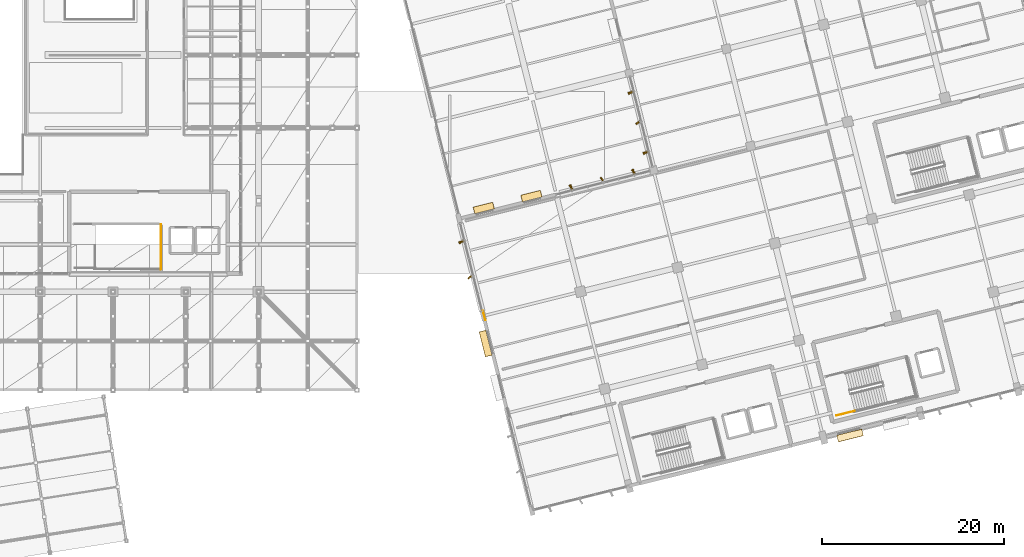
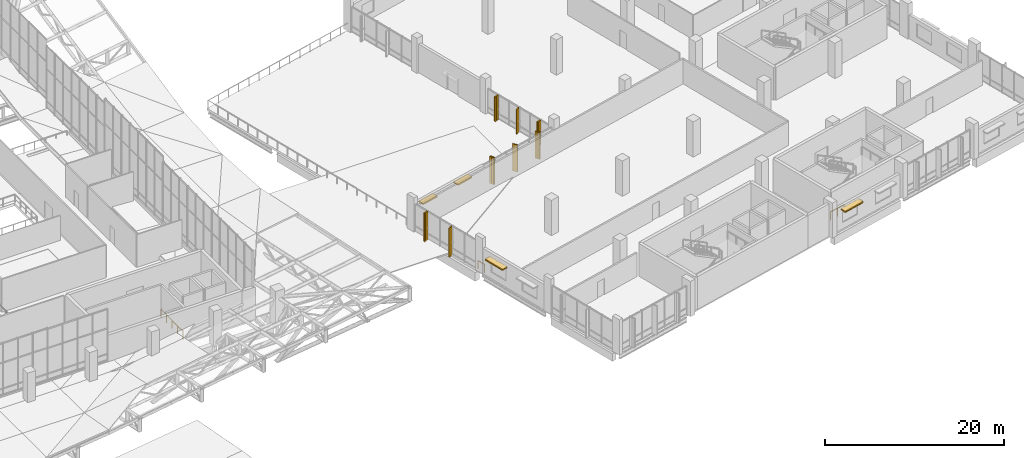
# One storey, part 133 of 137: 12 shading devices, 9 coverings, 3 railings.
"""IFC4 building model written with IfcOpenShell, lengths in metres."""

from ifc_helpers import new_model, si_unit, direction, frame, origin, origin_2d, place, context, subcontext, project, spatial, rectangle, extrude, material, layer, layer_set, type_object, element, save


model = new_model("IFC4")

# Units and contexts
model_context = context("Model", 3, precision=1e-05, world=origin(), true_north=direction((0.0, 1.0)))
body_context = subcontext(model_context, "Body", "Model", "MODEL_VIEW")
ifc_project = project(units=[si_unit("LENGTHUNIT", "METRE"), si_unit("AREAUNIT", "SQUARE_METRE"), si_unit("VOLUMEUNIT", "CUBIC_METRE"), si_unit("PLANEANGLEUNIT", "RADIAN"), si_unit("MASSUNIT", "GRAM", prefix="KILO")], contexts=[model_context])

# Site, building, storey
site_placement = place(None, origin())
site = spatial("IfcSite", under=ifc_project, at=site_placement, CompositionType="ELEMENT")
building_placement = place(site_placement, origin())
building = spatial("IfcBuilding", under=site, at=building_placement, Name="Khorjan Park Terminus", CompositionType="ELEMENT")
storey_placement = place(building_placement, frame((0.0, 0.0, 11.4)))
storey = spatial("IfcBuildingStorey", under=building, at=storey_placement, Name="L02", CompositionType="ELEMENT", Elevation=11.4)

# Coverings
ifc_material_1 = material(Name="Pigmented Precast GRC", Category="concrete")
ifc_layer_1 = layer(ifc_material_1, 0.16)
ifc_layer_set_1 = layer_set([ifc_layer_1], Name="Pigmented Precast GRC")
covering_type_1 = type_object("IfcCoveringType", Name="CV-FIN-GRC", PredefinedType="CLADDING", material=ifc_layer_set_1)
for number, where, z_axis, x_axis, name in (
    (1, (176.8663, 47.8883, -0.02), (0.0, 0.0, 1.0), (0.970295726276, 0.2419218956, 0.0), "Projecting desert-sandstone GRC facade fin CL-FN1 (CW-V5-NW1-L02-B03-1)"),
    (2, (178.5097, 41.2969, -0.02), (0.0, 0.0, 1.0), (0.970295726276, 0.2419218956, 0.0), "Projecting desert-sandstone GRC facade fin CL-FN1 (CW-V5-NW1-L02-B03-5)"),
):
    element("IfcCovering", number, at=place(storey_placement, frame(where, z_axis=z_axis, x_axis=x_axis)), inside=storey, type_object=covering_type_1, Name=name, PredefinedType="CLADDING", context=body_context, shape_type="SweptSolid", body=[
        extrude(rectangle(XDim=0.58, YDim=0.16, at=origin_2d()), origin(), (0.0, 0.0, 1.0), 3.345),
    ])
for number, where, z_axis, x_axis, name in (
    (3, (177.1707, 39.1613, -0.02), (0.0, 0.0, 1.0), (0.2419218956, -0.970295726276, 0.0), "Projecting desert-sandstone GRC facade fin CL-FN1 (CW-V5-NW2-L02-B01-1)"),
    (4, (170.3173, 37.4526, -0.02), (0.0, 0.0, 1.0), (0.2419218956, -0.970295726276, 0.0), "Projecting desert-sandstone GRC facade fin CL-FN1 (CW-V5-NW2-L02-B01-5)"),
):
    element("IfcCovering", number, at=place(storey_placement, frame(where, z_axis=z_axis, x_axis=x_axis)), inside=storey, type_object=covering_type_1, Name=name, PredefinedType="CLADDING", context=body_context, shape_type="SweptSolid", body=[
        extrude(rectangle(XDim=0.58, YDim=0.16, at=origin_2d()), origin(), (0.0, 0.0, 1.0), 3.655),
    ])
covering_1_placement = place(storey_placement, frame((158.2813, 31.4906, -0.02), z_axis=(0.0, 0.0, 1.0), x_axis=(0.970295726276, 0.2419218956, 0.0)))
element("IfcCovering", 5, at=covering_1_placement, inside=storey, type_object=covering_type_1, Name="Projecting desert-sandstone GRC facade fin CL-FN1 (CW-V5-W-L02-B01-1)", PredefinedType="CLADDING", context=body_context, shape_type="SweptSolid", body=[
    extrude(rectangle(XDim=0.58, YDim=0.16, at=origin_2d()), origin(), (0.0, 0.0, 1.0), 3.945),
])
ifc_layer_2 = layer(ifc_material_1, 0.18)
ifc_layer_set_2 = layer_set([ifc_layer_2], Name="Pigmented Precast GRC")
covering_type_2 = type_object("IfcCoveringType", Name="CV-HOOD-GRC", PredefinedType="CLADDING", material=ifc_layer_set_2)
covering_2_placement = place(storey_placement, frame((200.9595, 10.2114, 2.73), z_axis=(0.0, 0.0, 1.0), x_axis=(0.970293766672, 0.241929755007, 0.0)))
element("IfcCovering", 6, at=covering_2_placement, inside=storey, type_object=covering_type_2, Name="Projecting desert-sandstone GRC window eyebrow CL-HD1 (EW-V5-S-L02-B04-1)", PredefinedType="CLADDING", context=body_context, shape_type="SweptSolid", body=[
    extrude(rectangle(XDim=2.84, YDim=0.74, at=origin_2d()), origin(), (0.0, 0.0, 1.0), 0.16),
])
for number, where, z_axis, x_axis, name in (
    (7, (165.9552, 36.5041, 2.58), (0.0, 0.0, 1.0), (-0.970296119965, -0.241920316593, 0.0), "Projecting desert-sandstone GRC window eyebrow CL-HD1 (EW-V5-NW2-L02-B02-1)"),
    (8, (160.7231, 35.1996, 2.58), (0.0, 0.0, 1.0), (-0.970296119965, -0.241920316593, 0.0), "Projecting desert-sandstone GRC window eyebrow CL-HD1 (EW-V5-NW2-L02-B02-2)"),
):
    element("IfcCovering", number, at=place(storey_placement, frame(where, z_axis=z_axis, x_axis=x_axis)), inside=storey, type_object=covering_type_2, Name=name, PredefinedType="CLADDING", context=body_context, shape_type="SweptSolid", body=[
        extrude(rectangle(XDim=2.24, YDim=0.74, at=origin_2d()), origin(), (0.0, 0.0, 1.0), 0.16),
    ])
covering_3_placement = place(storey_placement, frame((160.9299, 20.3094, 2.73), z_axis=(0.0, 0.0, 1.0), x_axis=(0.241931398531, -0.97029335688, 0.0)))
element("IfcCovering", 9, at=covering_3_placement, inside=storey, type_object=covering_type_2, Name="Projecting desert-sandstone GRC window eyebrow CL-HD1 (EW-V5-W-L02-B02-1)", PredefinedType="CLADDING", context=body_context, shape_type="SweptSolid", body=[
    extrude(rectangle(XDim=2.84, YDim=0.74, at=origin_2d()), origin(), (0.0, 0.0, 1.0), 0.16),
])

# Railings
ifc_material_2 = material(Name="Steel S355", Category="steel")
railing_type = type_object("IfcRailingType", Name="GR-112", PredefinedType="GUARDRAIL", material=ifc_material_2)
railing_1_placement = place(storey_placement, frame((125.25, 28.45, 0.0)))
element("IfcRailing", 10, at=railing_1_placement, inside=storey, type_object=railing_type, Name="L02 ST-02 top well guard 3", PredefinedType="GUARDRAIL", context=body_context, shape_type="SweptSolid", body=[
    extrude(rectangle(XDim=0.048, YDim=0.048, at=origin_2d()), frame((0.0, 0.0, 1.096), z_axis=(0.0, 1.0, 0.0), x_axis=(-1.0, 0.0, 0.0)), (0.0, 0.0, 1.0), 4.96),
    extrude(rectangle(XDim=0.042, YDim=0.042, at=origin_2d()), origin(), (0.0, 0.0, 1.0), 1.072),
    extrude(rectangle(XDim=0.042, YDim=0.042, at=origin_2d()), frame((0.0, 1.24, 0.0)), (0.0, 0.0, 1.0), 1.072),
    extrude(rectangle(XDim=0.042, YDim=0.042, at=origin_2d()), frame((0.0, 2.48, 0.0)), (0.0, 0.0, 1.0), 1.072),
    extrude(rectangle(XDim=0.042, YDim=0.042, at=origin_2d()), frame((0.0, 3.72, 0.0)), (0.0, 0.0, 1.0), 1.072),
    extrude(rectangle(XDim=0.042, YDim=0.042, at=origin_2d()), frame((0.0, 4.96, 0.0)), (0.0, 0.0, 1.0), 1.072),
])
railing_2_placement = place(storey_placement, frame((199.4765, 12.4078, 0.0)))
element("IfcRailing", 11, at=railing_2_placement, inside=storey, type_object=railing_type, Name="L02 ST-05 stair guard 7", PredefinedType="GUARDRAIL", context=body_context, shape_type="SweptSolid", body=[
    extrude(rectangle(XDim=0.048, YDim=0.048, at=origin_2d()), frame((0.0, 0.0, 1.096), z_axis=(0.97029080484, 0.241941633546, 0.0), x_axis=(-0.241941633546, 0.97029080484, 0.0)), (0.0, 0.0, 1.0), 2.06),
    extrude(rectangle(XDim=0.042, YDim=0.042, at=origin_2d()), origin(), (0.0, 0.0, 1.0), 1.072),
    extrude(rectangle(XDim=0.042, YDim=0.042, at=origin_2d()), frame((0.9994, 0.2492, 0.0)), (0.0, 0.0, 1.0), 1.072),
    extrude(rectangle(XDim=0.042, YDim=0.042, at=origin_2d()), frame((1.9988, 0.4984, 0.0)), (0.0, 0.0, 1.0), 1.072),
])
railing_3_placement = place(storey_placement, frame((160.8995, 22.8705, 0.0)))
element("IfcRailing", 12, at=railing_3_placement, inside=storey, type_object=railing_type, Name="Perimeter safety guard GR-112 (L02-59)", PredefinedType="GUARDRAIL", context=body_context, shape_type="SweptSolid", body=[
    extrude(rectangle(XDim=0.048, YDim=0.048, at=origin_2d()), frame((0.0, 0.0, 1.096), z_axis=(-0.241927605951, 0.970294302508, 0.0), x_axis=(-0.970294302508, -0.241927605951, 0.0)), (0.0, 0.0, 1.0), 1.0449),
    extrude(rectangle(XDim=0.042, YDim=0.042, at=origin_2d()), origin(), (0.0, 0.0, 1.0), 1.072),
    extrude(rectangle(XDim=0.042, YDim=0.042, at=origin_2d()), frame((-0.2528, 1.0139, 0.0)), (0.0, 0.0, 1.0), 1.072),
])

# Shading devices
ifc_material_3 = material(Name="Anodized Bronze Aluminium", Category="aluminium")
shading_device_type_1 = type_object("IfcShadingDeviceType", Name="SD-FIN-620", PredefinedType="JALOUSIE", material=ifc_material_3)
for number, where, z_axis, x_axis, name in (
    (13, (176.8663, 47.8883, -0.02), (0.0, 0.0, 1.0), (0.809016994375, 0.587785252292, 0.0), "Angled solar brise-soleil fin SF-62 (CW-V5-NW1-L02-B03-1)"),
    (14, (177.6881, 44.5926, -0.02), (0.0, 0.0, 1.0), (0.809016994375, 0.587785252292, 0.0), "Angled solar brise-soleil fin SF-62 (CW-V5-NW1-L02-B03-3)"),
    (15, (178.5097, 41.2969, -0.02), (0.0, 0.0, 1.0), (0.809016994375, 0.587785252292, 0.0), "Angled solar brise-soleil fin SF-62 (CW-V5-NW1-L02-B03-5)"),
):
    element("IfcShadingDevice", number, at=place(storey_placement, frame(where, z_axis=z_axis, x_axis=x_axis)), inside=storey, type_object=shading_device_type_1, Name=name, PredefinedType="JALOUSIE", context=body_context, shape_type="SweptSolid", body=[
        extrude(rectangle(XDim=0.62, YDim=0.14, at=origin_2d()), origin(), (0.0, 0.0, 1.0), 3.345),
    ])
for number, where, z_axis, x_axis, name in (
    (16, (177.1707, 39.1613, -0.02), (0.0, 0.0, 1.0), (0.587785252292, -0.809016994375, 0.0), "Angled solar brise-soleil fin SF-62 (CW-V5-NW2-L02-B01-1)"),
    (17, (173.744, 38.307, -0.02), (0.0, 0.0, 1.0), (0.587785252292, -0.809016994375, 0.0), "Angled solar brise-soleil fin SF-62 (CW-V5-NW2-L02-B01-3)"),
    (18, (170.3173, 37.4526, -0.02), (0.0, 0.0, 1.0), (0.587785252292, -0.809016994375, 0.0), "Angled solar brise-soleil fin SF-62 (CW-V5-NW2-L02-B01-5)"),
):
    element("IfcShadingDevice", number, at=place(storey_placement, frame(where, z_axis=z_axis, x_axis=x_axis)), inside=storey, type_object=shading_device_type_1, Name=name, PredefinedType="JALOUSIE", context=body_context, shape_type="SweptSolid", body=[
        extrude(rectangle(XDim=0.62, YDim=0.14, at=origin_2d()), origin(), (0.0, 0.0, 1.0), 3.655),
    ])
for number, where, z_axis, x_axis, name in (
    (19, (158.2813, 31.4906, -0.02), (0.0, 0.0, 1.0), (0.809016994375, 0.587785252292, 0.0), "Angled solar brise-soleil fin SF-62 (CW-V5-W-L02-B01-1)"),
    (20, (159.2432, 27.6325, -0.02), (0.0, 0.0, 1.0), (0.809016994375, 0.587785252292, 0.0), "Angled solar brise-soleil fin SF-62 (CW-V5-W-L02-B01-3)"),
):
    element("IfcShadingDevice", number, at=place(storey_placement, frame(where, z_axis=z_axis, x_axis=x_axis)), inside=storey, type_object=shading_device_type_1, Name=name, PredefinedType="JALOUSIE", context=body_context, shape_type="SweptSolid", body=[
        extrude(rectangle(XDim=0.62, YDim=0.14, at=origin_2d()), origin(), (0.0, 0.0, 1.0), 3.945),
    ])
shading_device_type_2 = type_object("IfcShadingDeviceType", Name="SD-SUN-750", PredefinedType="SHUTTER", material=ifc_material_3)
shading_device_1_placement = place(storey_placement, frame((200.9595, 10.2114, 2.66), z_axis=(0.0, 0.0, 1.0), x_axis=(0.970293766672, 0.241929755007, 0.0)))
element("IfcShadingDevice", 21, at=shading_device_1_placement, inside=storey, type_object=shading_device_type_2, Name="Projecting solar overhang hood SH-75 (EW-V5-S-L02-B04-1)", PredefinedType="SHUTTER", context=body_context, shape_type="SweptSolid", body=[
    extrude(rectangle(XDim=2.76, YDim=0.76, at=origin_2d()), origin(), (0.0, 0.0, 1.0), 0.14),
])
for number, where, z_axis, x_axis, name in (
    (22, (165.9552, 36.5041, 2.51), (0.0, 0.0, 1.0), (-0.970296119965, -0.241920316593, 0.0), "Projecting solar overhang hood SH-75 (EW-V5-NW2-L02-B02-1)"),
    (23, (160.7231, 35.1996, 2.51), (0.0, 0.0, 1.0), (-0.970296119965, -0.241920316593, 0.0), "Projecting solar overhang hood SH-75 (EW-V5-NW2-L02-B02-2)"),
):
    element("IfcShadingDevice", number, at=place(storey_placement, frame(where, z_axis=z_axis, x_axis=x_axis)), inside=storey, type_object=shading_device_type_2, Name=name, PredefinedType="SHUTTER", context=body_context, shape_type="SweptSolid", body=[
        extrude(rectangle(XDim=2.16, YDim=0.76, at=origin_2d()), origin(), (0.0, 0.0, 1.0), 0.14),
    ])
shading_device_2_placement = place(storey_placement, frame((160.9299, 20.3094, 2.66), z_axis=(0.0, 0.0, 1.0), x_axis=(0.241931398531, -0.97029335688, 0.0)))
element("IfcShadingDevice", 24, at=shading_device_2_placement, inside=storey, type_object=shading_device_type_2, Name="Projecting solar overhang hood SH-75 (EW-V5-W-L02-B02-1)", PredefinedType="SHUTTER", context=body_context, shape_type="SweptSolid", body=[
    extrude(rectangle(XDim=2.76, YDim=0.76, at=origin_2d()), origin(), (0.0, 0.0, 1.0), 0.14),
])

save(model, "model.ifc")
